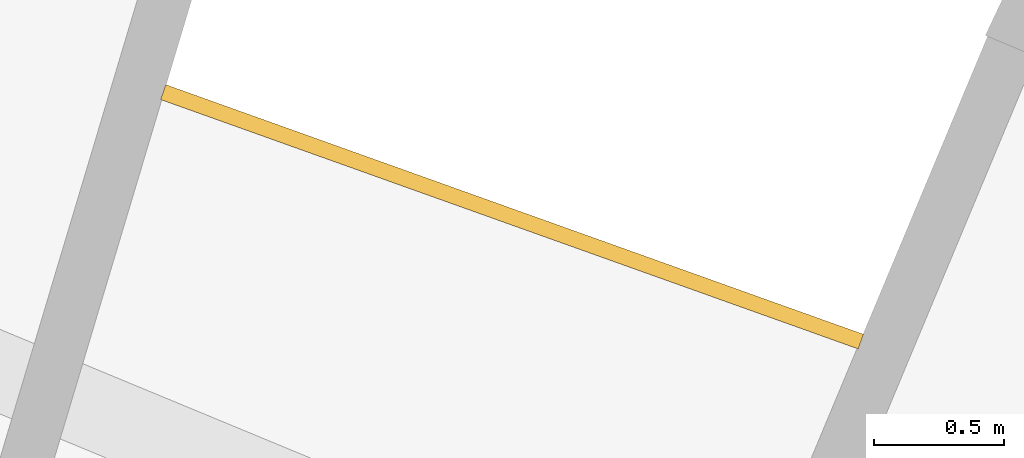
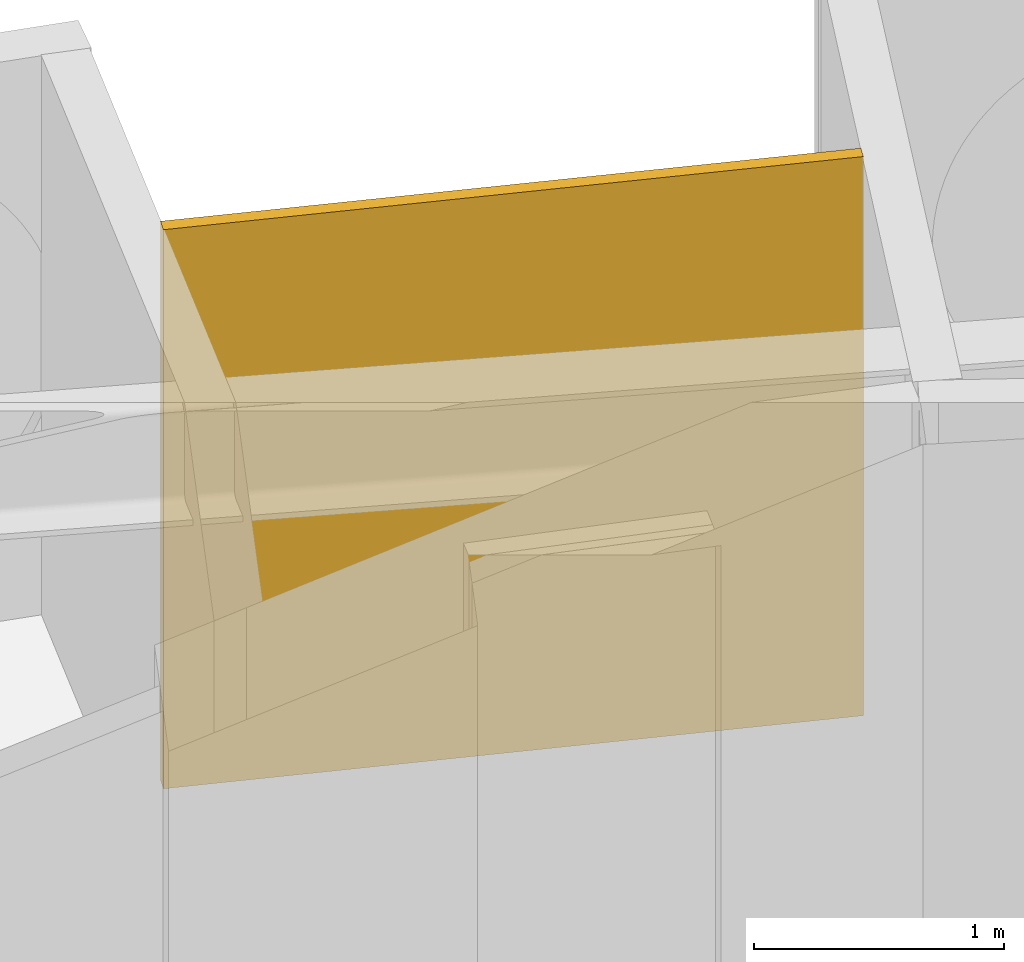
# One storey, part 26 of 26: 1 railing.
"""IFC4 building model written with IfcOpenShell, lengths in metres."""

from ifc_helpers import new_model, si_unit, direction, frame, origin, place, context, subcontext, project, spatial, polyline, outline, extrude, material, layer, layer_set, type_object, element, save


model = new_model("IFC4")

# Units and contexts
model_context = context("Model", 3, precision=1e-05, world=origin(), true_north=direction((0.0, 1.0)))
body_context = subcontext(model_context, "Body", "Model", "MODEL_VIEW")
ifc_project = project(units=[si_unit("LENGTHUNIT", "METRE"), si_unit("AREAUNIT", "SQUARE_METRE"), si_unit("VOLUMEUNIT", "CUBIC_METRE"), si_unit("PLANEANGLEUNIT", "RADIAN"), si_unit("MASSUNIT", "GRAM", prefix="KILO")], contexts=[model_context])

# Site, building, storey
site_placement = place(None, origin())
site = spatial("IfcSite", under=ifc_project, at=site_placement, CompositionType="ELEMENT")
building_placement = place(site_placement, origin())
building = spatial("IfcBuilding", under=site, at=building_placement, Name="Maasbend Ring Residences", CompositionType="ELEMENT")
storey_placement = place(building_placement, frame((0.0, 0.0, 84.949951171875)))
storey = spatial("IfcBuildingStorey", under=building, at=storey_placement, Name="L24", CompositionType="ELEMENT", Elevation=84.949951171875)

# Railing
ifc_material = material(Name="Pale anodised perforated aluminium", Category="aluminium")
ifc_layer = layer(ifc_material, 0.06005859375)
ifc_layer_set = layer_set([ifc_layer], Name="SCREEN-P")
railing_type = type_object("IfcRailingType", Name="SCREEN-P", PredefinedType="GUARDRAIL", material=ifc_layer_set)
railing_placement = place(storey_placement, frame((0.0, 0.0, -0.030029296875)))
element("IfcRailing", 1, at=railing_placement, inside=storey, type_object=railing_type, Name="Perforated screen guard 4", PredefinedType="GUARDRAIL", context=body_context, shape_type="SweptSolid", body=[
    extrude(outline(polyline([(11.097900390625, 26.79296875), (8.41796875, 27.7509765625), (8.43798828125, 27.80810546875), (11.117919921875, 26.84912109375), (11.097900390625, 26.79296875)])), origin(), (0.0, 0.0, 1.0), 2.72998046875),
])

save(model, "model.ifc")
